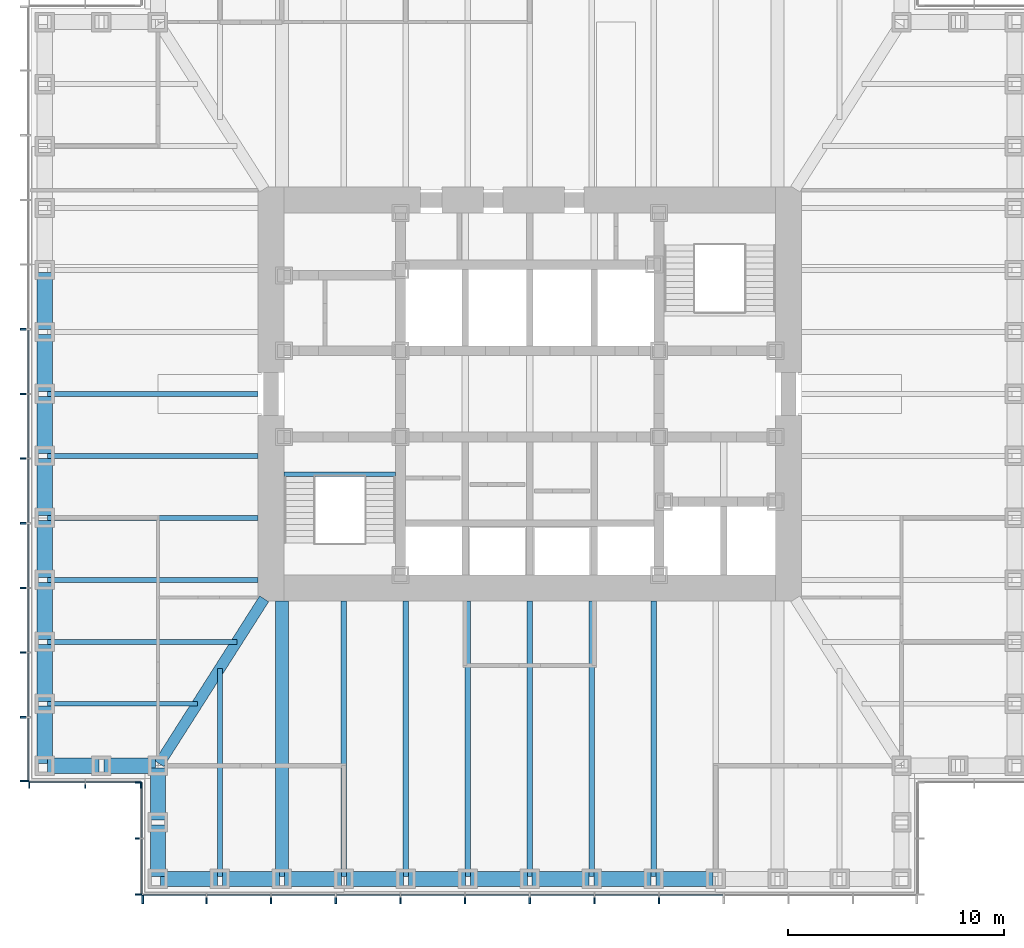
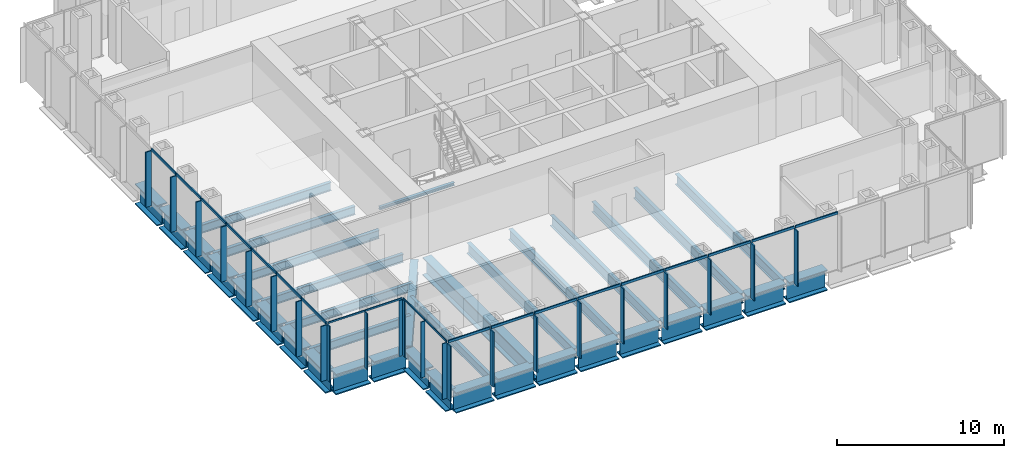
# One storey, part 2 of 16: 43 members, 37 beams, 4 elements without a shape of their own.
"""IFC4 building model written with IfcOpenShell, lengths in metres."""

import ifcopenshell
import ifcopenshell.guid

model = None  # the IFC model being written
_history = None  # IfcOwnerHistory: only IFC2X3 demands one
_inside = {}  # id of a spatial element -> (the spatial element, [elements in it])
_under = {}  # id of a project, library or spatial element -> (it, [spatial elements below it])
_declared = {}  # id of a project -> (the project, [libraries it declares])
_typed = {}  # id of a type object -> (the type object, [elements of that type])
_made_of = {}  # id of a material, layer set ... -> (it, [elements and type objects made of it])


def new_model(schema):
    """Start an empty IFC model of exactly this schema.

    Asked for "IFC4X3", IfcOpenShell would pick the latest addendum, in which some entities
    have other attributes; the version numbers below select the first issue.
    IFC2X3 requires an IfcOwnerHistory on every rooted entity: one is made here for all.
    """
    global model, _history
    if schema == "IFC4X3":
        model = ifcopenshell.file(schema_version=(4, 3, 0, 0))
    else:
        model = ifcopenshell.file(schema=schema)
    _inside.clear()
    _under.clear()
    _declared.clear()
    _typed.clear()
    _made_of.clear()
    _history = None
    if model.schema == "IFC2X3":
        org = make("IfcOrganization", Name="unknown")
        user = make(
            "IfcPersonAndOrganization",
            ThePerson=make("IfcPerson", FamilyName="unknown"),
            TheOrganization=org,
        )
        app = make(
            "IfcApplication",
            ApplicationDeveloper=org,
            Version="unknown",
            ApplicationFullName="unknown",
            ApplicationIdentifier="unknown",
        )
        _history = make(
            "IfcOwnerHistory",
            OwningUser=user,
            OwningApplication=app,
            ChangeAction="ADDED",
            CreationDate=0,
        )
    return model


def make(cls, **values):
    """One entity of the class cls with the attributes given. An attribute that is None is left unset."""
    return model.create_entity(
        cls, **{name: value for name, value in values.items() if value is not None}
    )


def rooted(cls, **values):
    """An entity with a GlobalId (a new one), such as an element, a storey or a relation."""
    return make(cls, GlobalId=ifcopenshell.guid.new(), OwnerHistory=_history, **values)


def si_unit(unit_type, name, prefix=None):
    """IfcSIUnit, for example si_unit("LENGTHUNIT", "METRE", prefix="MILLI")."""
    return make("IfcSIUnit", UnitType=unit_type, Prefix=prefix, Name=name)


def assignment(units):
    """IfcUnitAssignment: the units of a project."""
    return None if units is None else make("IfcUnitAssignment", Units=units)


def point(xyz):
    """IfcCartesianPoint."""
    return None if xyz is None else make("IfcCartesianPoint", Coordinates=xyz)


def direction(xyz):
    """IfcDirection."""
    return None if xyz is None else make("IfcDirection", DirectionRatios=xyz)


def frame(location, z_axis=None, x_axis=None):
    """IfcAxis2Placement3D, a coordinate frame: its origin and axes. An axis left out is left unset."""
    return make(
        "IfcAxis2Placement3D",
        Location=point(location),
        Axis=direction(z_axis),
        RefDirection=direction(x_axis),
    )


def frame_2d(location, x_axis=None):
    """IfcAxis2Placement2D, a coordinate frame in the plane: its origin and x axis."""
    return make(
        "IfcAxis2Placement2D", Location=point(location), RefDirection=direction(x_axis)
    )


def origin():
    """The frame at (0, 0, 0) with its axes left unset."""
    return frame((0.0, 0.0, 0.0))


def origin_2d():
    """The frame at (0, 0) in the plane with its x axis left unset."""
    return frame_2d((0.0, 0.0))


def place(relative_to, where):
    """IfcLocalPlacement: puts the frame where relative to a parent placement (None: the world)."""
    return make(
        "IfcLocalPlacement", PlacementRelTo=relative_to, RelativePlacement=where
    )


def context(
    kind, dimensions, precision=None, world=None, true_north=None, identifier=None
):
    """IfcGeometricRepresentationContext, for example the 3D "Model" context."""
    return make(
        "IfcGeometricRepresentationContext",
        ContextIdentifier=identifier,
        ContextType=kind,
        CoordinateSpaceDimension=dimensions,
        Precision=precision,
        WorldCoordinateSystem=world,
        TrueNorth=true_north,
    )


def subcontext(parent, identifier, kind, view, scale=None):
    """IfcGeometricRepresentationSubContext, for example "Body" below "Model"."""
    return make(
        "IfcGeometricRepresentationSubContext",
        ContextIdentifier=identifier,
        ContextType=kind,
        ParentContext=parent,
        TargetScale=scale,
        TargetView=view,
    )


def project(units=None, contexts=None):
    """IfcProject with its units and contexts."""
    return rooted(
        "IfcProject",
        Name="project",
        RepresentationContexts=contexts,
        UnitsInContext=assignment(units),
    )


def spatial(cls, under=None, at=None, **own):
    """A site, building, storey or space (cls), placed at a placement, below another one or the project."""
    s = rooted(cls, ObjectPlacement=at, **own)
    if under is not None:
        _under.setdefault(under.id(), (under, []))[1].append(s)
    return s


def profile(cls, at=None, kind="AREA", **sizes):
    """A parametric profile (cls). Its sizes go by their IFC names, for example OverallWidth=200.0."""
    return make(cls, ProfileType=kind, Position=at, **sizes)


def rectangle(**sizes):
    """IfcRectangleProfileDef."""
    return profile("IfcRectangleProfileDef", **sizes)


def i_section(**sizes):
    """IfcIShapeProfileDef."""
    return profile("IfcIShapeProfileDef", **sizes)


def extrude(swept, where, along, depth):
    """IfcExtrudedAreaSolid: the profile swept, set in the frame where, extruded along a direction by depth."""
    return make(
        "IfcExtrudedAreaSolid",
        SweptArea=swept,
        Position=where,
        ExtrudedDirection=direction(along),
        Depth=depth,
    )


def shape(context_of_items, identifier, shape_type, items):
    """IfcShapeRepresentation: the items that make up one representation, for example the "Body"."""
    return make(
        "IfcShapeRepresentation",
        ContextOfItems=context_of_items,
        RepresentationIdentifier=identifier,
        RepresentationType=shape_type,
        Items=items,
    )


def material(Name=None, Category=None):
    """IfcMaterial."""
    return make("IfcMaterial", Name=Name, Category=Category)


def material_profile(
    of_material, cross_section, Name=None, Category=None, Priority=None
):
    """IfcMaterialProfile: a cross section and its material."""
    return make(
        "IfcMaterialProfile",
        Name=Name,
        Material=of_material,
        Profile=cross_section,
        Priority=Priority,
        Category=Category,
    )


def profile_set(profiles, Name=None, composite=None):
    """IfcMaterialProfileSet."""
    return make(
        "IfcMaterialProfileSet",
        Name=Name,
        MaterialProfiles=profiles,
        CompositeProfile=composite,
    )


def made_of(thing, what):
    """Note that an element or type object is made of a material, layer set ...; save() writes the relation."""
    if what is not None:
        _made_of.setdefault(what.id(), (what, []))[1].append(thing)
    return thing


def type_object(cls, material=None, **own):
    """A type object (cls), such as IfcWallType, which elements share."""
    return made_of(rooted(cls, **own), material)


def element(
    cls,
    number,
    at=None,
    inside=None,
    cuts=None,
    type_object=None,
    material=None,
    context=None,
    identifier="Body",
    shape_type=None,
    held_by="IfcProductDefinitionShape",
    body=None,
    shapes=None,
    **own,
):
    """One element of the class cls, such as IfcWall. Its Tag is "e" and its number.

    at: its placement. inside: the storey or other place that contains it. cuts: it is an
    opening in that element (IfcRelVoidsElement). A single representation is given by context,
    identifier, shape_type and body (its items); several are given by shapes. held_by: the class
    of the entity that holds the representations. save() writes the other relations.
    """
    e = rooted(cls, Tag="e%d" % number, ObjectPlacement=at, **own)
    if body is not None:
        shapes = [shape(context, identifier, shape_type, body)]
    if shapes is not None:
        e.Representation = make(held_by, Representations=shapes)
    if inside is not None:
        _inside.setdefault(inside.id(), (inside, []))[1].append(e)
    if cuts is not None:
        rooted(
            "IfcRelVoidsElement", RelatingBuildingElement=cuts, RelatedOpeningElement=e
        )
    if type_object is not None:
        _typed.setdefault(type_object.id(), (type_object, []))[1].append(e)
    return made_of(e, material)


def aggregate(whole, parts):
    """IfcRelAggregates: a whole, such as a stair, and the parts it consists of."""
    return rooted("IfcRelAggregates", RelatingObject=whole, RelatedObjects=parts)


def save(model, path):
    """Write the relations noted so far, then the file.

    IfcRelAggregates (storeys below a building ...), IfcRelContainedInSpatialStructure (elements
    in a storey), IfcRelDefinesByType, IfcRelAssociatesMaterial and IfcRelDeclares: one each for
    every whole, place, type object, material and project.
    """
    for whole, parts in _under.values():
        aggregate(whole, parts)
    for where, things in _inside.values():
        rooted(
            "IfcRelContainedInSpatialStructure",
            RelatedElements=things,
            RelatingStructure=where,
        )
    for kind, things in _typed.values():
        rooted("IfcRelDefinesByType", RelatedObjects=things, RelatingType=kind)
    for what, things in _made_of.values():
        rooted("IfcRelAssociatesMaterial", RelatedObjects=things, RelatingMaterial=what)
    for by, libraries in _declared.values():
        rooted("IfcRelDeclares", RelatingContext=by, RelatedDefinitions=libraries)
    model.write(path)


model = new_model("IFC4")

# Units and contexts
model_context = context("Model", 3, precision=1e-05, world=origin(), true_north=direction((0.0, 1.0)))
body_context = subcontext(model_context, "Body", "Model", "MODEL_VIEW")
ifc_project = project(units=[si_unit("LENGTHUNIT", "METRE"), si_unit("AREAUNIT", "SQUARE_METRE"), si_unit("VOLUMEUNIT", "CUBIC_METRE"), si_unit("PLANEANGLEUNIT", "RADIAN"), si_unit("MASSUNIT", "GRAM", prefix="KILO")], contexts=[model_context])

# Site, building, storey
site_placement = place(None, origin())
site = spatial("IfcSite", under=ifc_project, at=site_placement, CompositionType="ELEMENT")
building_placement = place(site_placement, origin())
building = spatial("IfcBuilding", under=site, at=building_placement, Name="Daluyong Arena Tower", CompositionType="ELEMENT")
storey_placement = place(building_placement, frame((0.0, 0.0, 133.300048828125)))
storey = spatial("IfcBuildingStorey", under=building, at=storey_placement, Name="L29", CompositionType="ELEMENT", Elevation=133.300048828125)

# Curtain wall, members
ifc_material_1 = material(Name="Bronze anodised aluminium and glass", Category="aluminium")
curtain_wall_type_1 = type_object("IfcCurtainWallType", Name="Curtain wall CW2", PredefinedType="USERDEFINED", material=ifc_material_1)
curtain_wall_1_placement = place(storey_placement, origin())
curtain_wall_1 = element("IfcCurtainWall", 1, at=curtain_wall_1_placement, inside=storey, type_object=curtain_wall_type_1, Name="curtain wall L29 S", ObjectType="UNITISED CURTAIN WALL", PredefinedType="USERDEFINED")
ifc_material_2 = material(Name="Bronze anodised aluminium fin", Category="aluminium")
ifc_material_profile_1 = material_profile(ifc_material_2, rectangle(XDim=0.39990234375, YDim=0.080078125, at=origin_2d()))
ifc_profile_set_1 = profile_set([ifc_material_profile_1], Name="Bronze anodised aluminium fin")
member_type_1 = type_object("IfcMemberType", Name="CW2 bronze fin 400x80", PredefinedType="MULLION", material=ifc_profile_set_1)
member_1_placement = place(storey_placement, frame((38.0400390625, 56.550048828125, 0.0), z_axis=(0.0, 0.0, 1.0), x_axis=(0.0, 1.0, 0.0)))
member_1 = element("IfcMember", 2, at=member_1_placement, type_object=member_type_1, Name="curtain wall L29 S fin 1", PredefinedType="MULLION", context=body_context, shape_type="SweptSolid", body=[
    extrude(rectangle(XDim=0.39990234375, YDim=0.080078125, at=origin_2d()), origin(), (0.0, 0.0, 1.0), 4.02001953125),
])
member_2_placement = place(storey_placement, frame((41.0, 56.550048828125, 0.0), z_axis=(0.0, 0.0, 1.0), x_axis=(0.0, 1.0, 0.0)))
member_2 = element("IfcMember", 3, at=member_2_placement, type_object=member_type_1, Name="curtain wall L29 S fin 2", PredefinedType="MULLION", context=body_context, shape_type="SweptSolid", body=[
    extrude(rectangle(XDim=0.39990234375, YDim=0.080078125, at=origin_2d()), origin(), (0.0, 0.0, 1.0), 4.02001953125),
])
member_3_placement = place(storey_placement, frame((44.0, 56.550048828125, 0.0), z_axis=(0.0, 0.0, 1.0), x_axis=(0.0, 1.0, 0.0)))
member_3 = element("IfcMember", 4, at=member_3_placement, type_object=member_type_1, Name="curtain wall L29 S fin 3", PredefinedType="MULLION", context=body_context, shape_type="SweptSolid", body=[
    extrude(rectangle(XDim=0.39990234375, YDim=0.080078125, at=origin_2d()), origin(), (0.0, 0.0, 1.0), 4.02001953125),
])
member_4_placement = place(storey_placement, frame((47.0, 56.550048828125, 0.0), z_axis=(0.0, 0.0, 1.0), x_axis=(0.0, 1.0, 0.0)))
member_4 = element("IfcMember", 5, at=member_4_placement, type_object=member_type_1, Name="curtain wall L29 S fin 4", PredefinedType="MULLION", context=body_context, shape_type="SweptSolid", body=[
    extrude(rectangle(XDim=0.39990234375, YDim=0.080078125, at=origin_2d()), origin(), (0.0, 0.0, 1.0), 4.02001953125),
])
member_5_placement = place(storey_placement, frame((50.0, 56.550048828125, 0.0), z_axis=(0.0, 0.0, 1.0), x_axis=(0.0, 1.0, 0.0)))
member_5 = element("IfcMember", 6, at=member_5_placement, type_object=member_type_1, Name="curtain wall L29 S fin 5", PredefinedType="MULLION", context=body_context, shape_type="SweptSolid", body=[
    extrude(rectangle(XDim=0.39990234375, YDim=0.080078125, at=origin_2d()), origin(), (0.0, 0.0, 1.0), 4.02001953125),
])
member_6_placement = place(storey_placement, frame((53.0, 56.550048828125, 0.0), z_axis=(0.0, 0.0, 1.0), x_axis=(0.0, 1.0, 0.0)))
member_6 = element("IfcMember", 7, at=member_6_placement, type_object=member_type_1, Name="curtain wall L29 S fin 6", PredefinedType="MULLION", context=body_context, shape_type="SweptSolid", body=[
    extrude(rectangle(XDim=0.39990234375, YDim=0.080078125, at=origin_2d()), origin(), (0.0, 0.0, 1.0), 4.02001953125),
])
member_7_placement = place(storey_placement, frame((56.0, 56.550048828125, 0.0), z_axis=(0.0, 0.0, 1.0), x_axis=(0.0, 1.0, 0.0)))
member_7 = element("IfcMember", 8, at=member_7_placement, type_object=member_type_1, Name="curtain wall L29 S fin 7", PredefinedType="MULLION", context=body_context, shape_type="SweptSolid", body=[
    extrude(rectangle(XDim=0.39990234375, YDim=0.080078125, at=origin_2d()), origin(), (0.0, 0.0, 1.0), 4.02001953125),
])
member_8_placement = place(storey_placement, frame((59.0, 56.550048828125, 0.0), z_axis=(0.0, 0.0, 1.0), x_axis=(0.0, 1.0, 0.0)))
member_8 = element("IfcMember", 9, at=member_8_placement, type_object=member_type_1, Name="curtain wall L29 S fin 8", PredefinedType="MULLION", context=body_context, shape_type="SweptSolid", body=[
    extrude(rectangle(XDim=0.39990234375, YDim=0.080078125, at=origin_2d()), origin(), (0.0, 0.0, 1.0), 4.02001953125),
])
member_9_placement = place(storey_placement, frame((62.0, 56.550048828125, 0.0), z_axis=(0.0, 0.0, 1.0), x_axis=(0.0, 1.0, 0.0)))
member_9 = element("IfcMember", 10, at=member_9_placement, type_object=member_type_1, Name="curtain wall L29 S fin 9", PredefinedType="MULLION", context=body_context, shape_type="SweptSolid", body=[
    extrude(rectangle(XDim=0.39990234375, YDim=0.080078125, at=origin_2d()), origin(), (0.0, 0.0, 1.0), 4.02001953125),
])

curtain_wall_2_placement = place(storey_placement, origin())
curtain_wall_2 = element("IfcCurtainWall", 11, at=curtain_wall_2_placement, inside=storey, type_object=curtain_wall_type_1, Name="curtain wall L29 W", ObjectType="UNITISED CURTAIN WALL", PredefinedType="USERDEFINED")
member_10_placement = place(storey_placement, frame((32.550048828125, 83.0, 0.0), z_axis=(0.0, 0.0, 1.0), x_axis=(1.0, 0.0, 0.0)))
member_10 = element("IfcMember", 12, at=member_10_placement, type_object=member_type_1, Name="curtain wall L29 W fin 6", PredefinedType="MULLION", context=body_context, shape_type="SweptSolid", body=[
    extrude(rectangle(XDim=0.39990234375, YDim=0.080078125, at=origin_2d()), origin(), (0.0, 0.0, 1.0), 4.02001953125),
])
member_11_placement = place(storey_placement, frame((32.550048828125, 80.0, 0.0), z_axis=(0.0, 0.0, 1.0), x_axis=(1.0, 0.0, 0.0)))
member_11 = element("IfcMember", 13, at=member_11_placement, type_object=member_type_1, Name="curtain wall L29 W fin 7", PredefinedType="MULLION", context=body_context, shape_type="SweptSolid", body=[
    extrude(rectangle(XDim=0.39990234375, YDim=0.080078125, at=origin_2d()), origin(), (0.0, 0.0, 1.0), 4.02001953125),
])
member_12_placement = place(storey_placement, frame((32.550048828125, 77.0, 0.0), z_axis=(0.0, 0.0, 1.0), x_axis=(1.0, 0.0, 0.0)))
member_12 = element("IfcMember", 14, at=member_12_placement, type_object=member_type_1, Name="curtain wall L29 W fin 8", PredefinedType="MULLION", context=body_context, shape_type="SweptSolid", body=[
    extrude(rectangle(XDim=0.39990234375, YDim=0.080078125, at=origin_2d()), origin(), (0.0, 0.0, 1.0), 4.02001953125),
])
member_13_placement = place(storey_placement, frame((32.550048828125, 74.0, 0.0), z_axis=(0.0, 0.0, 1.0), x_axis=(1.0, 0.0, 0.0)))
member_13 = element("IfcMember", 15, at=member_13_placement, type_object=member_type_1, Name="curtain wall L29 W fin 9", PredefinedType="MULLION", context=body_context, shape_type="SweptSolid", body=[
    extrude(rectangle(XDim=0.39990234375, YDim=0.080078125, at=origin_2d()), origin(), (0.0, 0.0, 1.0), 4.02001953125),
])
member_14_placement = place(storey_placement, frame((32.550048828125, 71.0, 0.0), z_axis=(0.0, 0.0, 1.0), x_axis=(1.0, 0.0, 0.0)))
member_14 = element("IfcMember", 16, at=member_14_placement, type_object=member_type_1, Name="curtain wall L29 W fin 10", PredefinedType="MULLION", context=body_context, shape_type="SweptSolid", body=[
    extrude(rectangle(XDim=0.39990234375, YDim=0.080078125, at=origin_2d()), origin(), (0.0, 0.0, 1.0), 4.02001953125),
])
member_15_placement = place(storey_placement, frame((32.550048828125, 68.0, 0.0), z_axis=(0.0, 0.0, 1.0), x_axis=(1.0, 0.0, 0.0)))
member_15 = element("IfcMember", 17, at=member_15_placement, type_object=member_type_1, Name="curtain wall L29 W fin 11", PredefinedType="MULLION", context=body_context, shape_type="SweptSolid", body=[
    extrude(rectangle(XDim=0.39990234375, YDim=0.080078125, at=origin_2d()), origin(), (0.0, 0.0, 1.0), 4.02001953125),
])
member_16_placement = place(storey_placement, frame((32.550048828125, 65.0, 0.0), z_axis=(0.0, 0.0, 1.0), x_axis=(1.0, 0.0, 0.0)))
member_16 = element("IfcMember", 18, at=member_16_placement, type_object=member_type_1, Name="curtain wall L29 W fin 12", PredefinedType="MULLION", context=body_context, shape_type="SweptSolid", body=[
    extrude(rectangle(XDim=0.39990234375, YDim=0.080078125, at=origin_2d()), origin(), (0.0, 0.0, 1.0), 4.02001953125),
])
member_17_placement = place(storey_placement, frame((32.550048828125, 62.0400390625, 0.0), z_axis=(0.0, 0.0, 1.0), x_axis=(1.0, 0.0, 0.0)))
member_17 = element("IfcMember", 19, at=member_17_placement, type_object=member_type_1, Name="curtain wall L29 W fin 13", PredefinedType="MULLION", context=body_context, shape_type="SweptSolid", body=[
    extrude(rectangle(XDim=0.39990234375, YDim=0.080078125, at=origin_2d()), origin(), (0.0, 0.0, 1.0), 4.02001953125),
])

# Member
ifc_material_3 = material(Name="Bronze anodised aluminium", Category="aluminium")
ifc_material_profile_2 = material_profile(ifc_material_3, rectangle(XDim=0.080078125, YDim=0.179931640625, at=origin_2d()))
ifc_profile_set_2 = profile_set([ifc_material_profile_2], Name="Bronze anodised aluminium")
member_type_2 = type_object("IfcMemberType", Name="CW2 stack transom 180x80", PredefinedType="USERDEFINED", material=ifc_profile_set_2)
member_18_placement = place(storey_placement, frame((38.080078125, 56.75, 4.10986328125), z_axis=(1.0, 0.0, 0.0), x_axis=(0.0, 1.0, 0.0)))
member_18 = element("IfcMember", 20, at=member_18_placement, type_object=member_type_2, Name="curtain wall L29 S transom 1", ObjectType="TRANSOM", PredefinedType="USERDEFINED", context=body_context, shape_type="SweptSolid", body=[
    extrude(rectangle(XDim=0.080078125, YDim=0.179931640625, at=origin_2d()), origin(), (0.0, 0.0, 1.0), 2.8798828125),
])

member_19_placement = place(storey_placement, frame((41.0400390625, 56.75, 4.10986328125), z_axis=(1.0, 0.0, 0.0), x_axis=(0.0, 1.0, 0.0)))
member_19 = element("IfcMember", 21, at=member_19_placement, type_object=member_type_2, Name="curtain wall L29 S transom 2", ObjectType="TRANSOM", PredefinedType="USERDEFINED", context=body_context, shape_type="SweptSolid", body=[
    extrude(rectangle(XDim=0.080078125, YDim=0.179931640625, at=origin_2d()), origin(), (0.0, 0.0, 1.0), 2.919921875),
])

member_20_placement = place(storey_placement, frame((44.0400390625, 56.75, 4.10986328125), z_axis=(1.0, 0.0, 0.0), x_axis=(0.0, 1.0, 0.0)))
member_20 = element("IfcMember", 22, at=member_20_placement, type_object=member_type_2, Name="curtain wall L29 S transom 3", ObjectType="TRANSOM", PredefinedType="USERDEFINED", context=body_context, shape_type="SweptSolid", body=[
    extrude(rectangle(XDim=0.080078125, YDim=0.179931640625, at=origin_2d()), origin(), (0.0, 0.0, 1.0), 2.919921875),
])

member_21_placement = place(storey_placement, frame((47.0400390625, 56.75, 4.10986328125), z_axis=(1.0, 0.0, 0.0), x_axis=(0.0, 1.0, 0.0)))
member_21 = element("IfcMember", 23, at=member_21_placement, type_object=member_type_2, Name="curtain wall L29 S transom 4", ObjectType="TRANSOM", PredefinedType="USERDEFINED", context=body_context, shape_type="SweptSolid", body=[
    extrude(rectangle(XDim=0.080078125, YDim=0.179931640625, at=origin_2d()), origin(), (0.0, 0.0, 1.0), 2.919921875),
])

member_22_placement = place(storey_placement, frame((50.0400390625, 56.75, 4.10986328125), z_axis=(1.0, 0.0, 0.0), x_axis=(0.0, 1.0, 0.0)))
member_22 = element("IfcMember", 24, at=member_22_placement, type_object=member_type_2, Name="curtain wall L29 S transom 5", ObjectType="TRANSOM", PredefinedType="USERDEFINED", context=body_context, shape_type="SweptSolid", body=[
    extrude(rectangle(XDim=0.080078125, YDim=0.179931640625, at=origin_2d()), origin(), (0.0, 0.0, 1.0), 2.919921875),
])

member_23_placement = place(storey_placement, frame((53.0400390625, 56.75, 4.10986328125), z_axis=(1.0, 0.0, 0.0), x_axis=(0.0, 1.0, 0.0)))
member_23 = element("IfcMember", 25, at=member_23_placement, type_object=member_type_2, Name="curtain wall L29 S transom 6", ObjectType="TRANSOM", PredefinedType="USERDEFINED", context=body_context, shape_type="SweptSolid", body=[
    extrude(rectangle(XDim=0.080078125, YDim=0.179931640625, at=origin_2d()), origin(), (0.0, 0.0, 1.0), 2.919921875),
])

member_24_placement = place(storey_placement, frame((56.0400390625, 56.75, 4.10986328125), z_axis=(1.0, 0.0, 0.0), x_axis=(0.0, 1.0, 0.0)))
member_24 = element("IfcMember", 26, at=member_24_placement, type_object=member_type_2, Name="curtain wall L29 S transom 7", ObjectType="TRANSOM", PredefinedType="USERDEFINED", context=body_context, shape_type="SweptSolid", body=[
    extrude(rectangle(XDim=0.080078125, YDim=0.179931640625, at=origin_2d()), origin(), (0.0, 0.0, 1.0), 2.919921875),
])

member_25_placement = place(storey_placement, frame((59.0400390625, 56.75, 4.10986328125), z_axis=(1.0, 0.0, 0.0), x_axis=(0.0, 1.0, 0.0)))
member_25 = element("IfcMember", 27, at=member_25_placement, type_object=member_type_2, Name="curtain wall L29 S transom 8", ObjectType="TRANSOM", PredefinedType="USERDEFINED", context=body_context, shape_type="SweptSolid", body=[
    extrude(rectangle(XDim=0.080078125, YDim=0.179931640625, at=origin_2d()), origin(), (0.0, 0.0, 1.0), 2.919921875),
])

member_26_placement = place(storey_placement, frame((62.0400390625, 56.75, 4.10986328125), z_axis=(1.0, 0.0, 0.0), x_axis=(0.0, 1.0, 0.0)))
member_26 = element("IfcMember", 28, at=member_26_placement, type_object=member_type_2, Name="curtain wall L29 S transom 9", ObjectType="TRANSOM", PredefinedType="USERDEFINED", context=body_context, shape_type="SweptSolid", body=[
    extrude(rectangle(XDim=0.080078125, YDim=0.179931640625, at=origin_2d()), origin(), (0.0, 0.0, 1.0), 2.919921875),
])

aggregate(curtain_wall_1, [member_1, member_2, member_3, member_4, member_5, member_6, member_7, member_8, member_9, member_18, member_19, member_20, member_21, member_22, member_23, member_24, member_25, member_26])

member_27_placement = place(storey_placement, frame((32.75, 82.9599609375, 4.10986328125), z_axis=(0.0, -1.0, 0.0), x_axis=(1.0, 0.0, 0.0)))
member_27 = element("IfcMember", 29, at=member_27_placement, type_object=member_type_2, Name="curtain wall L29 W transom 6", ObjectType="TRANSOM", PredefinedType="USERDEFINED", context=body_context, shape_type="SweptSolid", body=[
    extrude(rectangle(XDim=0.080078125, YDim=0.179931640625, at=origin_2d()), origin(), (0.0, 0.0, 1.0), 2.919921875),
])

member_28_placement = place(storey_placement, frame((32.75, 79.9599609375, 4.10986328125), z_axis=(0.0, -1.0, 0.0), x_axis=(1.0, 0.0, 0.0)))
member_28 = element("IfcMember", 30, at=member_28_placement, type_object=member_type_2, Name="curtain wall L29 W transom 7", ObjectType="TRANSOM", PredefinedType="USERDEFINED", context=body_context, shape_type="SweptSolid", body=[
    extrude(rectangle(XDim=0.080078125, YDim=0.179931640625, at=origin_2d()), origin(), (0.0, 0.0, 1.0), 2.919921875),
])

member_29_placement = place(storey_placement, frame((32.75, 76.9599609375, 4.10986328125), z_axis=(0.0, -1.0, 0.0), x_axis=(1.0, 0.0, 0.0)))
member_29 = element("IfcMember", 31, at=member_29_placement, type_object=member_type_2, Name="curtain wall L29 W transom 8", ObjectType="TRANSOM", PredefinedType="USERDEFINED", context=body_context, shape_type="SweptSolid", body=[
    extrude(rectangle(XDim=0.080078125, YDim=0.179931640625, at=origin_2d()), origin(), (0.0, 0.0, 1.0), 2.919921875),
])

member_30_placement = place(storey_placement, frame((32.75, 73.9599609375, 4.10986328125), z_axis=(0.0, -1.0, 0.0), x_axis=(1.0, 0.0, 0.0)))
member_30 = element("IfcMember", 32, at=member_30_placement, type_object=member_type_2, Name="curtain wall L29 W transom 9", ObjectType="TRANSOM", PredefinedType="USERDEFINED", context=body_context, shape_type="SweptSolid", body=[
    extrude(rectangle(XDim=0.080078125, YDim=0.179931640625, at=origin_2d()), origin(), (0.0, 0.0, 1.0), 2.919921875),
])

member_31_placement = place(storey_placement, frame((32.75, 70.9599609375, 4.10986328125), z_axis=(0.0, -1.0, 0.0), x_axis=(1.0, 0.0, 0.0)))
member_31 = element("IfcMember", 33, at=member_31_placement, type_object=member_type_2, Name="curtain wall L29 W transom 10", ObjectType="TRANSOM", PredefinedType="USERDEFINED", context=body_context, shape_type="SweptSolid", body=[
    extrude(rectangle(XDim=0.080078125, YDim=0.179931640625, at=origin_2d()), origin(), (0.0, 0.0, 1.0), 2.919921875),
])

member_32_placement = place(storey_placement, frame((32.75, 67.9599609375, 4.10986328125), z_axis=(0.0, -1.0, 0.0), x_axis=(1.0, 0.0, 0.0)))
member_32 = element("IfcMember", 34, at=member_32_placement, type_object=member_type_2, Name="curtain wall L29 W transom 11", ObjectType="TRANSOM", PredefinedType="USERDEFINED", context=body_context, shape_type="SweptSolid", body=[
    extrude(rectangle(XDim=0.080078125, YDim=0.179931640625, at=origin_2d()), origin(), (0.0, 0.0, 1.0), 2.919921875),
])

member_33_placement = place(storey_placement, frame((32.75, 64.9599609375, 4.10986328125), z_axis=(0.0, -1.0, 0.0), x_axis=(1.0, 0.0, 0.0)))
member_33 = element("IfcMember", 35, at=member_33_placement, type_object=member_type_2, Name="curtain wall L29 W transom 12", ObjectType="TRANSOM", PredefinedType="USERDEFINED", context=body_context, shape_type="SweptSolid", body=[
    extrude(rectangle(XDim=0.080078125, YDim=0.179931640625, at=origin_2d()), origin(), (0.0, 0.0, 1.0), 2.8798828125),
])

aggregate(curtain_wall_2, [member_10, member_11, member_12, member_13, member_14, member_15, member_16, member_17, member_27, member_28, member_29, member_30, member_31, member_32, member_33])

# Curtain wall, members
ifc_material_4 = material(Name="Bronze anodised aluminium and glass", Category="aluminium")
curtain_wall_type_2 = type_object("IfcCurtainWallType", Name="Curtain wall CW7", PredefinedType="USERDEFINED", material=ifc_material_4)
curtain_wall_3_placement = place(storey_placement, origin())
curtain_wall_3 = element("IfcCurtainWall", 36, at=curtain_wall_3_placement, inside=storey, type_object=curtain_wall_type_2, Name="curtain wall L29 SW-S", ObjectType="UNITISED CURTAIN WALL", PredefinedType="USERDEFINED")
ifc_material_5 = material(Name="Bronze anodised aluminium fin", Category="aluminium")
ifc_material_profile_3 = material_profile(ifc_material_5, rectangle(XDim=0.300048828125, YDim=0.06005859375, at=origin_2d()))
ifc_profile_set_3 = profile_set([ifc_material_profile_3], Name="Bronze anodised aluminium fin")
member_type_3 = type_object("IfcMemberType", Name="CW7 bronze fin 300x60", PredefinedType="MULLION", material=ifc_profile_set_3)
member_34_placement = place(storey_placement, frame((32.780029296875, 61.85009765625, 0.0), z_axis=(0.0, 0.0, 1.0), x_axis=(0.0, 1.0, 0.0)))
member_34 = element("IfcMember", 37, at=member_34_placement, type_object=member_type_3, Name="curtain wall L29 SW-S fin 1", PredefinedType="MULLION", context=body_context, shape_type="SweptSolid", body=[
    extrude(rectangle(XDim=0.300048828125, YDim=0.06005859375, at=origin_2d()), origin(), (0.0, 0.0, 1.0), 4.079833984375),
])
member_35_placement = place(storey_placement, frame((35.375, 61.85009765625, 0.0), z_axis=(0.0, 0.0, 1.0), x_axis=(0.0, 1.0, 0.0)))
member_35 = element("IfcMember", 38, at=member_35_placement, type_object=member_type_3, Name="curtain wall L29 SW-S fin 2", PredefinedType="MULLION", context=body_context, shape_type="SweptSolid", body=[
    extrude(rectangle(XDim=0.300048828125, YDim=0.06005859375, at=origin_2d()), origin(), (0.0, 0.0, 1.0), 4.079833984375),
])
member_36_placement = place(storey_placement, frame((37.969970703125, 61.85009765625, 0.0), z_axis=(0.0, 0.0, 1.0), x_axis=(0.0, 1.0, 0.0)))
member_36 = element("IfcMember", 39, at=member_36_placement, type_object=member_type_3, Name="curtain wall L29 SW-S fin 3", PredefinedType="MULLION", context=body_context, shape_type="SweptSolid", body=[
    extrude(rectangle(XDim=0.300048828125, YDim=0.06005859375, at=origin_2d()), origin(), (0.0, 0.0, 1.0), 4.079833984375),
])

curtain_wall_4_placement = place(storey_placement, origin())
curtain_wall_4 = element("IfcCurtainWall", 40, at=curtain_wall_4_placement, inside=storey, type_object=curtain_wall_type_2, Name="curtain wall L29 SW-W", ObjectType="UNITISED CURTAIN WALL", PredefinedType="USERDEFINED")
member_37_placement = place(storey_placement, frame((37.85009765625, 61.969970703125, 0.0), z_axis=(0.0, 0.0, 1.0), x_axis=(1.0, 0.0, 0.0)))
member_37 = element("IfcMember", 41, at=member_37_placement, type_object=member_type_3, Name="curtain wall L29 SW-W fin 1", PredefinedType="MULLION", context=body_context, shape_type="SweptSolid", body=[
    extrude(rectangle(XDim=0.300048828125, YDim=0.06005859375, at=origin_2d()), origin(), (0.0, 0.0, 1.0), 4.079833984375),
])
member_38_placement = place(storey_placement, frame((37.85009765625, 59.375, 0.0), z_axis=(0.0, 0.0, 1.0), x_axis=(1.0, 0.0, 0.0)))
member_38 = element("IfcMember", 42, at=member_38_placement, type_object=member_type_3, Name="curtain wall L29 SW-W fin 2", PredefinedType="MULLION", context=body_context, shape_type="SweptSolid", body=[
    extrude(rectangle(XDim=0.300048828125, YDim=0.06005859375, at=origin_2d()), origin(), (0.0, 0.0, 1.0), 4.079833984375),
])
member_39_placement = place(storey_placement, frame((37.85009765625, 56.780029296875, 0.0), z_axis=(0.0, 0.0, 1.0), x_axis=(1.0, 0.0, 0.0)))
member_39 = element("IfcMember", 43, at=member_39_placement, type_object=member_type_3, Name="curtain wall L29 SW-W fin 3", PredefinedType="MULLION", context=body_context, shape_type="SweptSolid", body=[
    extrude(rectangle(XDim=0.300048828125, YDim=0.06005859375, at=origin_2d()), origin(), (0.0, 0.0, 1.0), 4.079833984375),
])

# Member
ifc_material_6 = material(Name="Bronze anodised aluminium", Category="aluminium")
ifc_material_profile_4 = material_profile(ifc_material_6, rectangle(XDim=0.06005859375, YDim=0.1201171875, at=origin_2d()))
ifc_profile_set_4 = profile_set([ifc_material_profile_4], Name="Bronze anodised aluminium")
member_type_4 = type_object("IfcMemberType", Name="CW7 stack transom 120x60", PredefinedType="USERDEFINED", material=ifc_profile_set_4)
member_40_placement = place(storey_placement, frame((32.81005859375, 62.0, 4.139892578125), z_axis=(1.0, 0.0, 0.0), x_axis=(0.0, 1.0, 0.0)))
member_40 = element("IfcMember", 44, at=member_40_placement, type_object=member_type_4, Name="curtain wall L29 SW-S transom 1", ObjectType="TRANSOM", PredefinedType="USERDEFINED", context=body_context, shape_type="SweptSolid", body=[
    extrude(rectangle(XDim=0.06005859375, YDim=0.1201171875, at=origin_2d()), origin(), (0.0, 0.0, 1.0), 2.534912109375),
])

member_41_placement = place(storey_placement, frame((35.405029296875, 62.0, 4.139892578125), z_axis=(1.0, 0.0, 0.0), x_axis=(0.0, 1.0, 0.0)))
member_41 = element("IfcMember", 45, at=member_41_placement, type_object=member_type_4, Name="curtain wall L29 SW-S transom 2", ObjectType="TRANSOM", PredefinedType="USERDEFINED", context=body_context, shape_type="SweptSolid", body=[
    extrude(rectangle(XDim=0.06005859375, YDim=0.1201171875, at=origin_2d()), origin(), (0.0, 0.0, 1.0), 2.534912109375),
])

aggregate(curtain_wall_3, [member_34, member_35, member_36, member_40, member_41])

member_42_placement = place(storey_placement, frame((38.0, 61.93994140625, 4.139892578125), z_axis=(0.0, -1.0, 0.0), x_axis=(1.0, 0.0, 0.0)))
member_42 = element("IfcMember", 46, at=member_42_placement, type_object=member_type_4, Name="curtain wall L29 SW-W transom 1", ObjectType="TRANSOM", PredefinedType="USERDEFINED", context=body_context, shape_type="SweptSolid", body=[
    extrude(rectangle(XDim=0.06005859375, YDim=0.1201171875, at=origin_2d()), origin(), (0.0, 0.0, 1.0), 2.534912109375),
])

member_43_placement = place(storey_placement, frame((38.0, 59.344970703125, 4.139892578125), z_axis=(0.0, -1.0, 0.0), x_axis=(1.0, 0.0, 0.0)))
member_43 = element("IfcMember", 47, at=member_43_placement, type_object=member_type_4, Name="curtain wall L29 SW-W transom 2", ObjectType="TRANSOM", PredefinedType="USERDEFINED", context=body_context, shape_type="SweptSolid", body=[
    extrude(rectangle(XDim=0.06005859375, YDim=0.1201171875, at=origin_2d()), origin(), (0.0, 0.0, 1.0), 2.534912109375),
])

aggregate(curtain_wall_4, [member_37, member_38, member_39, member_42, member_43])

# Beams
ifc_material_7 = material(Name="Steel ASTM A572 Grade 50", Category="steel")
ifc_material_profile_5 = material_profile(ifc_material_7, i_section(OverallWidth=0.5, OverallDepth=1.0, WebThickness=0.03, FlangeThickness=0.06, at=origin_2d()))
ifc_profile_set_5 = profile_set([ifc_material_profile_5], Name="Steel ASTM A572 Grade 50")
beam_type_1 = type_object("IfcBeamType", Name="Corner girder TB1000X500", PredefinedType="BEAM", material=ifc_profile_set_5)
beam_1_placement = place(storey_placement, frame((38.811767578125, 62.846923828125, -0.66015625), z_axis=(0.536872006459, 0.843663705916, 0.0), x_axis=(-0.843663705916, 0.536872006459, 0.0)))
element("IfcBeam", 48, at=beam_1_placement, inside=storey, type_object=beam_type_1, Name="corner girder DG2", PredefinedType="BEAM", context=body_context, shape_type="SweptSolid", body=[
    extrude(i_section(OverallWidth=0.5, OverallDepth=1.0, WebThickness=0.03, FlangeThickness=0.06, at=origin_2d()), origin(), (0.0, 0.0, 1.0), 9.06396484375),
])
ifc_material_8 = material(Name="Steel ASTM A572 Grade 50", Category="steel")
ifc_material_profile_6 = material_profile(ifc_material_8, i_section(OverallWidth=0.60009765625, OverallDepth=1.300048828125, WebThickness=0.035, FlangeThickness=0.07, at=origin_2d()))
ifc_profile_set_6 = profile_set([ifc_material_profile_6], Name="Steel ASTM A572 Grade 50")
beam_type_2 = type_object("IfcBeamType", Name="Floor beam TB1300X600", PredefinedType="BEAM", material=ifc_profile_set_6)
beam_2_placement = place(storey_placement, frame((44.5, 57.614990234375, -0.81005859375), z_axis=(0.0, 1.0, 0.0), x_axis=(-1.0, 0.0, 0.0)))
element("IfcBeam", 49, at=beam_2_placement, inside=storey, type_object=beam_type_2, Name="floor beam FB7", PredefinedType="BEAM", context=body_context, shape_type="SweptSolid", body=[
    extrude(i_section(OverallWidth=0.60009765625, OverallDepth=1.300048828125, WebThickness=0.035, FlangeThickness=0.07, at=origin_2d()), origin(), (0.0, 0.0, 1.0), 12.784912109375),
])
ifc_material_9 = material(Name="Steel ASTM A992 Grade 50", Category="steel")
ifc_material_profile_7 = material_profile(ifc_material_9, i_section(OverallWidth=0.22900390625, OverallDepth=0.612060546875, WebThickness=0.011962890625, FlangeThickness=0.01953125, at=origin_2d()))
ifc_profile_set_7 = profile_set([ifc_material_profile_7], Name="Steel ASTM A992 Grade 50")
beam_type_3 = type_object("IfcBeamType", Name="Floor beam W24X84", PredefinedType="BEAM", material=ifc_profile_set_7)
beam_3_placement = place(storey_placement, frame((41.625, 57.614990234375, -0.466064453125), z_axis=(0.0, 1.0, 0.0), x_axis=(-1.0, 0.0, 0.0)))
element("IfcBeam", 50, at=beam_3_placement, inside=storey, type_object=beam_type_3, Name="floor beam FB3", PredefinedType="BEAM", context=body_context, shape_type="SweptSolid", body=[
    extrude(i_section(OverallWidth=0.22900390625, OverallDepth=0.612060546875, WebThickness=0.011962890625, FlangeThickness=0.01953125, at=origin_2d()), origin(), (0.0, 0.0, 1.0), 9.65283203125),
])
for number, where, z_axis, x_axis, name in (
    (51, (33.614990234375, 80.0, -0.466064453125), (1.0, 0.0, 0.0), (0.0, 1.0, 0.0), "floor beam FB3"),
    (52, (33.614990234375, 77.125, -0.466064453125), (1.0, 0.0, 0.0), (0.0, 1.0, 0.0), "floor beam FB3"),
    (53, (33.614990234375, 74.25, -0.466064453125), (1.0, 0.0, 0.0), (0.0, 1.0, 0.0), "floor beam FB3"),
    (54, (33.614990234375, 71.375, -0.466064453125), (1.0, 0.0, 0.0), (0.0, 1.0, 0.0), "floor beam FB3"),
):
    element("IfcBeam", number, at=place(storey_placement, frame(where, z_axis=z_axis, x_axis=x_axis)), inside=storey, type_object=beam_type_3, Name=name, PredefinedType="BEAM", context=body_context, shape_type="SweptSolid", body=[
        extrude(i_section(OverallWidth=0.22900390625, OverallDepth=0.612060546875, WebThickness=0.011962890625, FlangeThickness=0.01953125, at=origin_2d()), origin(), (0.0, 0.0, 1.0), 9.784912109375),
    ])
beam_4_placement = place(storey_placement, frame((33.614990234375, 68.5, -0.466064453125), z_axis=(1.0, 0.0, 0.0), x_axis=(0.0, 1.0, 0.0)))
element("IfcBeam", 55, at=beam_4_placement, inside=storey, type_object=beam_type_3, Name="floor beam FB3", PredefinedType="BEAM", context=body_context, shape_type="SweptSolid", body=[
    extrude(i_section(OverallWidth=0.22900390625, OverallDepth=0.612060546875, WebThickness=0.011962890625, FlangeThickness=0.01953125, at=origin_2d()), origin(), (0.0, 0.0, 1.0), 8.794189453125),
])
beam_5_placement = place(storey_placement, frame((33.614990234375, 65.625, -0.466064453125), z_axis=(1.0, 0.0, 0.0), x_axis=(0.0, 1.0, 0.0)))
element("IfcBeam", 56, at=beam_5_placement, inside=storey, type_object=beam_type_3, Name="floor beam FB3", PredefinedType="BEAM", context=body_context, shape_type="SweptSolid", body=[
    extrude(i_section(OverallWidth=0.22900390625, OverallDepth=0.612060546875, WebThickness=0.011962890625, FlangeThickness=0.01953125, at=origin_2d()), origin(), (0.0, 0.0, 1.0), 6.964599609375),
])
ifc_material_10 = material(Name="Steel ASTM A992 Grade 50", Category="steel")
ifc_material_profile_8 = material_profile(ifc_material_10, i_section(OverallWidth=0.2666015625, OverallDepth=0.761962890625, WebThickness=0.014404296875, FlangeThickness=0.021484375, at=origin_2d()))
ifc_profile_set_8 = profile_set([ifc_material_profile_8], Name="Steel ASTM A992 Grade 50")
beam_type_4 = type_object("IfcBeamType", Name="Floor beam W30X116", PredefinedType="BEAM", material=ifc_profile_set_8)
for number, where, z_axis, x_axis, name in (
    (57, (47.375, 57.614990234375, -0.541015625), (0.0, 1.0, 0.0), (-1.0, 0.0, 0.0), "floor beam FB4"),
    (58, (50.25, 57.614990234375, -0.541015625), (0.0, 1.0, 0.0), (-1.0, 0.0, 0.0), "floor beam FB4"),
    (59, (53.125, 57.614990234375, -0.541015625), (0.0, 1.0, 0.0), (-1.0, 0.0, 0.0), "floor beam FB4"),
    (60, (56.0, 57.614990234375, -0.541015625), (0.0, 1.0, 0.0), (-1.0, 0.0, 0.0), "floor beam FB4"),
    (61, (58.875, 57.614990234375, -0.541015625), (0.0, 1.0, 0.0), (-1.0, 0.0, 0.0), "floor beam FB4"),
    (62, (61.75, 57.614990234375, -0.541015625), (0.0, 1.0, 0.0), (-1.0, 0.0, 0.0), "floor beam FB4"),
):
    element("IfcBeam", number, at=place(storey_placement, frame(where, z_axis=z_axis, x_axis=x_axis)), inside=storey, type_object=beam_type_4, Name=name, PredefinedType="BEAM", context=body_context, shape_type="SweptSolid", body=[
        extrude(i_section(OverallWidth=0.2666015625, OverallDepth=0.761962890625, WebThickness=0.014404296875, FlangeThickness=0.021484375, at=origin_2d()), origin(), (0.0, 0.0, 1.0), 12.784912109375),
    ])
ifc_material_11 = material(Name="Steel ASTM A572 Grade 50", Category="steel")
ifc_material_profile_9 = material_profile(ifc_material_11, i_section(OverallWidth=0.699951171875, OverallDepth=1.5, WebThickness=0.04, FlangeThickness=0.08, at=origin_2d()))
ifc_profile_set_9 = profile_set([ifc_material_profile_9], Name="Steel ASTM A572 Grade 50")
beam_type_5 = type_object("IfcBeamType", Name="Spandrel Z2 PG1500X700", PredefinedType="SPANDREL", material=ifc_profile_set_9)
for number, where, z_axis, x_axis, name in (
    (63, (38.864990234375, 57.5, -0.91015625), (1.0, 0.0, 0.0), (0.0, 1.0, 0.0), "spandrel z2 SB6"),
    (64, (41.739990234375, 57.5, -0.91015625), (1.0, 0.0, 0.0), (0.0, 1.0, 0.0), "spandrel z2 SB6"),
    (65, (44.614990234375, 57.5, -0.91015625), (1.0, 0.0, 0.0), (0.0, 1.0, 0.0), "spandrel z2 SB6"),
    (66, (47.489990234375, 57.5, -0.91015625), (1.0, 0.0, 0.0), (0.0, 1.0, 0.0), "spandrel z2 SB6"),
    (67, (50.364990234375, 57.5, -0.91015625), (1.0, 0.0, 0.0), (0.0, 1.0, 0.0), "spandrel z2 SB6"),
    (68, (53.239990234375, 57.5, -0.91015625), (1.0, 0.0, 0.0), (0.0, 1.0, 0.0), "spandrel z2 SB6"),
    (69, (56.114990234375, 57.5, -0.91015625), (1.0, 0.0, 0.0), (0.0, 1.0, 0.0), "spandrel z2 SB6"),
    (70, (58.989990234375, 57.5, -0.91015625), (1.0, 0.0, 0.0), (0.0, 1.0, 0.0), "spandrel z2 SB6"),
    (71, (61.864990234375, 57.5, -0.91015625), (1.0, 0.0, 0.0), (0.0, 1.0, 0.0), "spandrel z2 SB6"),
    (72, (33.5, 85.635009765625, -0.91015625), (0.0, -1.0, 0.0), (1.0, 0.0, 0.0), "spandrel z2 SB6"),
    (73, (33.5, 82.760009765625, -0.91015625), (0.0, -1.0, 0.0), (1.0, 0.0, 0.0), "spandrel z2 SB6"),
    (74, (33.5, 79.885009765625, -0.91015625), (0.0, -1.0, 0.0), (1.0, 0.0, 0.0), "spandrel z2 SB6"),
    (75, (33.5, 77.010009765625, -0.91015625), (0.0, -1.0, 0.0), (1.0, 0.0, 0.0), "spandrel z2 SB6"),
    (76, (33.5, 74.135009765625, -0.91015625), (0.0, -1.0, 0.0), (1.0, 0.0, 0.0), "spandrel z2 SB6"),
    (77, (33.5, 71.260009765625, -0.91015625), (0.0, -1.0, 0.0), (1.0, 0.0, 0.0), "spandrel z2 SB6"),
    (78, (33.5, 68.385009765625, -0.91015625), (0.0, -1.0, 0.0), (1.0, 0.0, 0.0), "spandrel z2 SB6"),
    (79, (33.5, 65.510009765625, -0.91015625), (0.0, -1.0, 0.0), (1.0, 0.0, 0.0), "spandrel z2 SB6"),
):
    element("IfcBeam", number, at=place(storey_placement, frame(where, z_axis=z_axis, x_axis=x_axis)), inside=storey, type_object=beam_type_5, Name=name, PredefinedType="SPANDREL", context=body_context, shape_type="SweptSolid", body=[
        extrude(i_section(OverallWidth=0.699951171875, OverallDepth=1.5, WebThickness=0.04, FlangeThickness=0.08, at=origin_2d()), origin(), (0.0, 0.0, 1.0), 2.64501953125),
    ])
for number, where, z_axis, x_axis, name in (
    (80, (33.614990234375, 62.75, -0.91015625), (1.0, 0.0, 0.0), (0.0, 1.0, 0.0), "spandrel z2 SB6"),
    (81, (36.239990234375, 62.75, -0.91015625), (1.0, 0.0, 0.0), (0.0, 1.0, 0.0), "spandrel z2 SB6"),
    (82, (38.75, 62.635009765625, -0.91015625), (0.0, -1.0, 0.0), (1.0, 0.0, 0.0), "spandrel z2 SB6"),
    (83, (38.75, 60.010009765625, -0.91015625), (0.0, -1.0, 0.0), (1.0, 0.0, 0.0), "spandrel z2 SB6"),
):
    element("IfcBeam", number, at=place(storey_placement, frame(where, z_axis=z_axis, x_axis=x_axis)), inside=storey, type_object=beam_type_5, Name=name, PredefinedType="SPANDREL", context=body_context, shape_type="SweptSolid", body=[
        extrude(i_section(OverallWidth=0.699951171875, OverallDepth=1.5, WebThickness=0.04, FlangeThickness=0.08, at=origin_2d()), origin(), (0.0, 0.0, 1.0), 2.39501953125),
    ])
ifc_material_12 = material(Name="Steel ASTM A992 Grade 50", Category="steel")
ifc_material_profile_10 = material_profile(ifc_material_12, i_section(OverallWidth=0.203125, OverallDepth=0.203125, WebThickness=0.00732421875, FlangeThickness=0.010986328125, at=origin_2d()))
ifc_profile_set_10 = profile_set([ifc_material_profile_10], Name="Steel ASTM A992 Grade 50")
beam_type_6 = type_object("IfcBeamType", Name="Stair landing beam W8X31", PredefinedType="BEAM", material=ifc_profile_set_10)
beam_6_placement = place(storey_placement, frame((44.60009765625, 76.276611328125, -0.26171875), z_axis=(1.0, 0.0, 0.0), x_axis=(0.0, 1.0, 0.0)))
element("IfcBeam", 84, at=beam_6_placement, inside=storey, type_object=beam_type_6, Name="exit stair A landing beam", PredefinedType="BEAM", context=body_context, shape_type="SweptSolid", body=[
    extrude(i_section(OverallWidth=0.203125, OverallDepth=0.203125, WebThickness=0.00732421875, FlangeThickness=0.010986328125, at=origin_2d()), origin(), (0.0, 0.0, 1.0), 5.1748046875),
])

save(model, "model.ifc")
